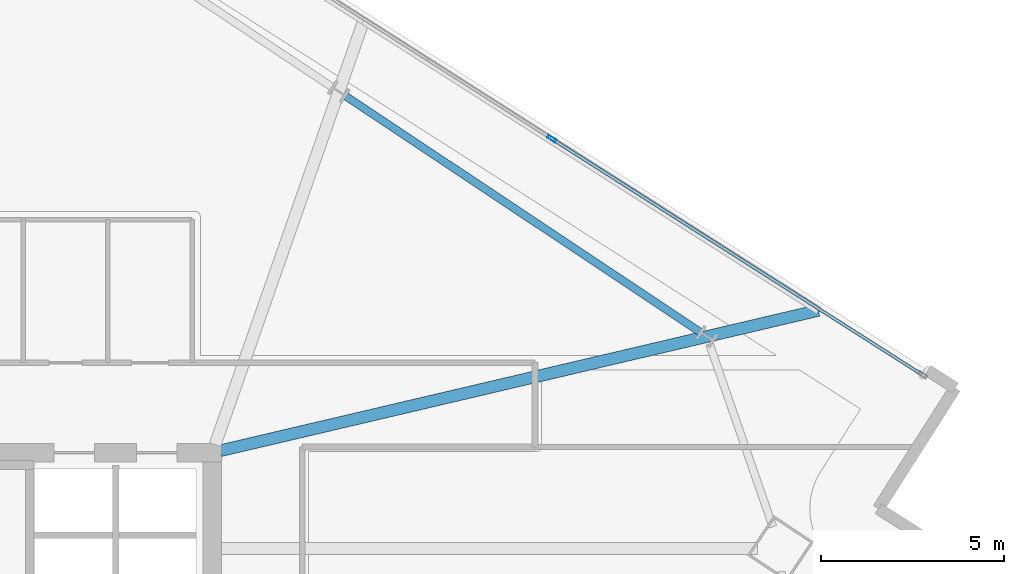
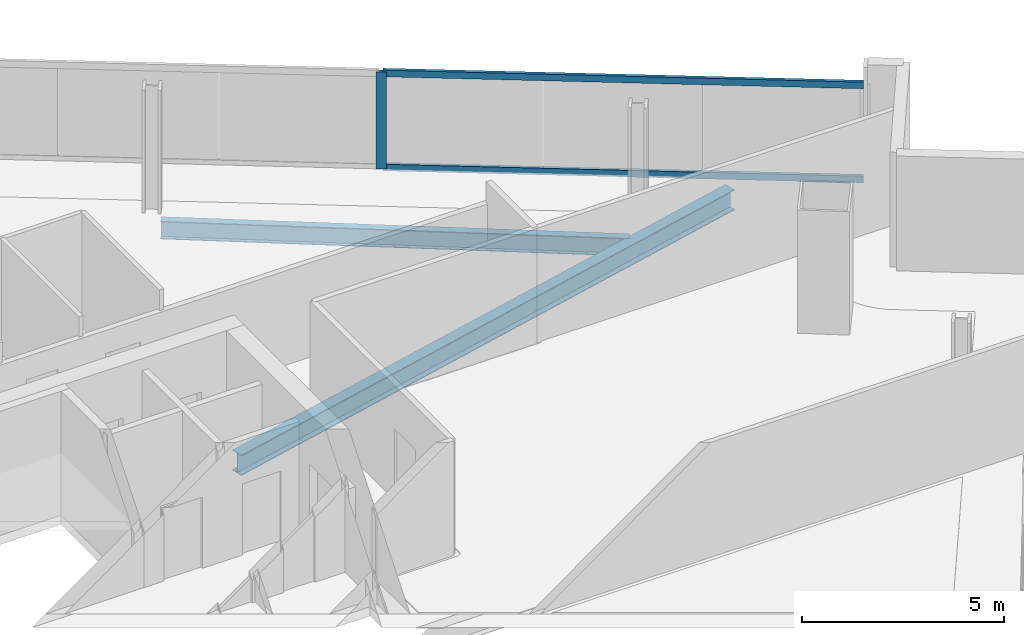
# One storey, part 18 of 30: 3 members, 2 beams, 1 element without a shape of its own.
"""IFC4 building model written with IfcOpenShell, lengths in metres."""

from ifc_helpers import new_model, si_unit, direction, frame, origin, origin_2d, place, context, subcontext, project, spatial, hollow_rectangle, i_section, extrude, material, material_profile, profile_set, type_object, element, aggregate, save


model = new_model("IFC4")

# Units and contexts
model_context = context("Model", 3, precision=1e-05, world=origin(), true_north=direction((0.0, 1.0)))
body_context = subcontext(model_context, "Body", "Model", "MODEL_VIEW")
ifc_project = project(units=[si_unit("LENGTHUNIT", "METRE"), si_unit("AREAUNIT", "SQUARE_METRE"), si_unit("VOLUMEUNIT", "CUBIC_METRE"), si_unit("PLANEANGLEUNIT", "RADIAN"), si_unit("MASSUNIT", "GRAM", prefix="KILO")], contexts=[model_context])

# Site, building, storey
site_placement = place(None, origin())
site = spatial("IfcSite", under=ifc_project, at=site_placement, CompositionType="ELEMENT")
building_placement = place(site_placement, origin())
building = spatial("IfcBuilding", under=site, at=building_placement, Name="Haldenkirk Collegiate Tower", CompositionType="ELEMENT")
storey_placement = place(building_placement, frame((0.0, 0.0, 220.949951171875)))
storey = spatial("IfcBuildingStorey", under=building, at=storey_placement, Name="L55", CompositionType="ELEMENT", Elevation=220.949951171875)

# Beams
ifc_material_1 = material(Name="Steel ASTM A992 Grade 50", Category="steel")
ifc_material_profile_1 = material_profile(ifc_material_1, i_section(OverallWidth=0.324951171875, OverallDepth=0.615966796875, WebThickness=0.013916015625, FlangeThickness=0.021484375, at=origin_2d()), Name="W24X117")
ifc_profile_set_1 = profile_set([ifc_material_profile_1], Name="Steel ASTM A992 Grade 50")
beam_type_1 = type_object("IfcBeamType", Name="BM-GIRDER-W24X117", PredefinedType="BEAM", material=ifc_profile_set_1)
beam_1_placement = place(storey_placement, frame((61.52197265625, 37.877197265625, -0.587890625), z_axis=(-0.97355202822, -0.228465420467, 0.0), x_axis=(0.228465420467, -0.97355202822, 0.0)))
element("IfcBeam", 1, at=beam_1_placement, inside=storey, type_object=beam_type_1, Name="L55 primary floor girder 08", PredefinedType="BEAM", context=body_context, shape_type="SweptSolid", body=[
    extrude(i_section(OverallWidth=0.324951171875, OverallDepth=0.615966796875, WebThickness=0.013916015625, FlangeThickness=0.021484375, at=origin_2d()), origin(), (0.0, 0.0, 1.0), 16.740966796875),
])
ifc_material_profile_2 = material_profile(ifc_material_1, i_section(OverallWidth=0.2099609375, OverallDepth=0.537109375, WebThickness=0.010986328125, FlangeThickness=0.017333984375, at=origin_2d()), Name="W21X68")
ifc_profile_set_2 = profile_set([ifc_material_profile_2], Name="Steel ASTM A992 Grade 50")
beam_type_2 = type_object("IfcBeamType", Name="BM-SPANDREL-W21X68", PredefinedType="SPANDREL", material=ifc_profile_set_2)
beam_2_placement = place(storey_placement, frame((58.30029296875, 37.28369140625, -0.54833984375), z_axis=(-0.832431545828, 0.554127892738, 0.0), x_axis=(-0.554127892738, -0.832431545828, 0.0)))
element("IfcBeam", 2, at=beam_2_placement, inside=storey, type_object=beam_type_2, Name="L55 perimeter spandrel beam 06", PredefinedType="SPANDREL", context=body_context, shape_type="SweptSolid", body=[
    extrude(i_section(OverallWidth=0.2099609375, OverallDepth=0.537109375, WebThickness=0.010986328125, FlangeThickness=0.017333984375, at=origin_2d()), origin(), (0.0, 0.0, 1.0), 11.619140625),
])

# Curtain wall, members
ifc_material_2 = material(Name="Anodised architectural bronze aluminium", Category="aluminium")
curtain_wall_type = type_object("IfcCurtainWallType", Name="CW-SYS1B-CONVEX-HI", PredefinedType="USERDEFINED", material=ifc_material_2)
curtain_wall_placement = place(storey_placement, origin())
curtain_wall = element("IfcCurtainWall", 3, at=curtain_wall_placement, inside=storey, type_object=curtain_wall_type, Name="L55 Upper tower high-wind convex bronze unitised curtain wall", ObjectType="UNITISED CURTAIN WALL", PredefinedType="USERDEFINED")
ifc_material_profile_3 = material_profile(ifc_material_2, hollow_rectangle(XDim=0.0849609375, YDim=0.25, WallThickness=0.0048828125, at=origin_2d()), Name="CW-MUL-1B")
ifc_profile_set_3 = profile_set([ifc_material_profile_3], Name="Anodised architectural bronze aluminium")
member_type_1 = type_object("IfcMemberType", Name="CW-MUL-1B", PredefinedType="MULLION", material=ifc_profile_set_3)
member_1_placement = place(storey_placement, frame((54.253662109375, 42.554931640625, 0.0), z_axis=(0.0, 0.0, 1.0), x_axis=(0.537299803563, 0.843391321447, 0.0)))
member_1 = element("IfcMember", 4, at=member_1_placement, type_object=member_type_1, Name="CW-1B mullion 3", PredefinedType="MULLION", context=body_context, shape_type="SweptSolid", body=[
    extrude(hollow_rectangle(XDim=0.0849609375, YDim=0.25, WallThickness=0.0048828125, at=origin_2d()), origin(), (0.0, 0.0, 1.0), 2.927978515625),
])
ifc_material_profile_4 = material_profile(ifc_material_2, hollow_rectangle(XDim=0.0849609375, YDim=0.199951171875, WallThickness=0.0048828125, at=origin_2d()), Name="CW-TRN-1B")
ifc_profile_set_4 = profile_set([ifc_material_profile_4], Name="Anodised architectural bronze aluminium")
member_type_2 = type_object("IfcMemberType", Name="CW-TRN-1B", PredefinedType="USERDEFINED", material=ifc_profile_set_4)
member_2_placement = place(storey_placement, frame((54.28955078125, 42.5322265625, 0.04248046875), z_axis=(0.843387612037, -0.537305626121, 0.0), x_axis=(0.537305626121, 0.843387612037, 0.0)))
member_2 = element("IfcMember", 5, at=member_2_placement, type_object=member_type_2, Name="CW-1B transom 3.1", ObjectType="TRANSOM", PredefinedType="USERDEFINED", context=body_context, shape_type="SweptSolid", body=[
    extrude(hollow_rectangle(XDim=0.0849609375, YDim=0.199951171875, WallThickness=0.0048828125, at=origin_2d()), origin(), (0.0, 0.0, 1.0), 11.8974609375),
])
member_3_placement = place(storey_placement, frame((54.28955078125, 42.5322265625, 2.885498046875), z_axis=(0.843387612037, -0.537305626121, 0.0), x_axis=(0.537305626121, 0.843387612037, 0.0)))
member_3 = element("IfcMember", 6, at=member_3_placement, type_object=member_type_2, Name="CW-1B transom 3.2", ObjectType="TRANSOM", PredefinedType="USERDEFINED", context=body_context, shape_type="SweptSolid", body=[
    extrude(hollow_rectangle(XDim=0.0849609375, YDim=0.199951171875, WallThickness=0.0048828125, at=origin_2d()), origin(), (0.0, 0.0, 1.0), 11.8974609375),
])
aggregate(curtain_wall, [member_1, member_2, member_3])

save(model, "model.ifc")
